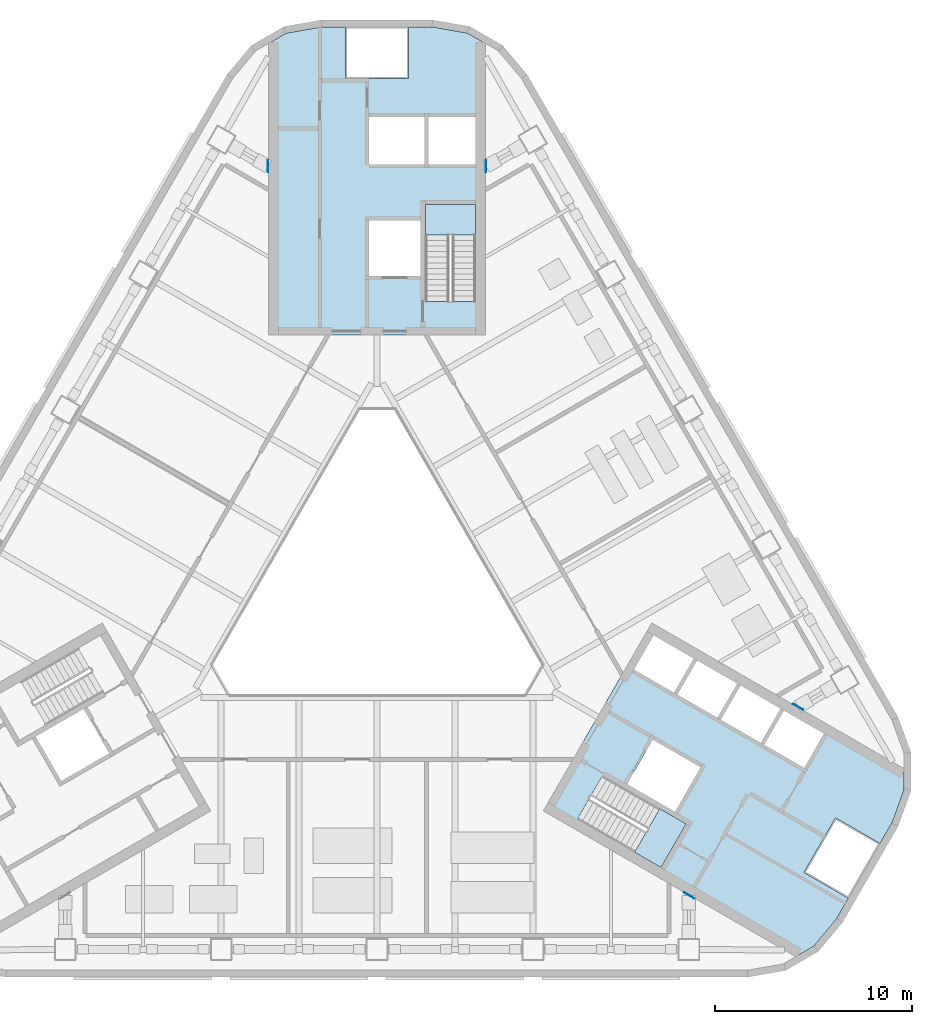
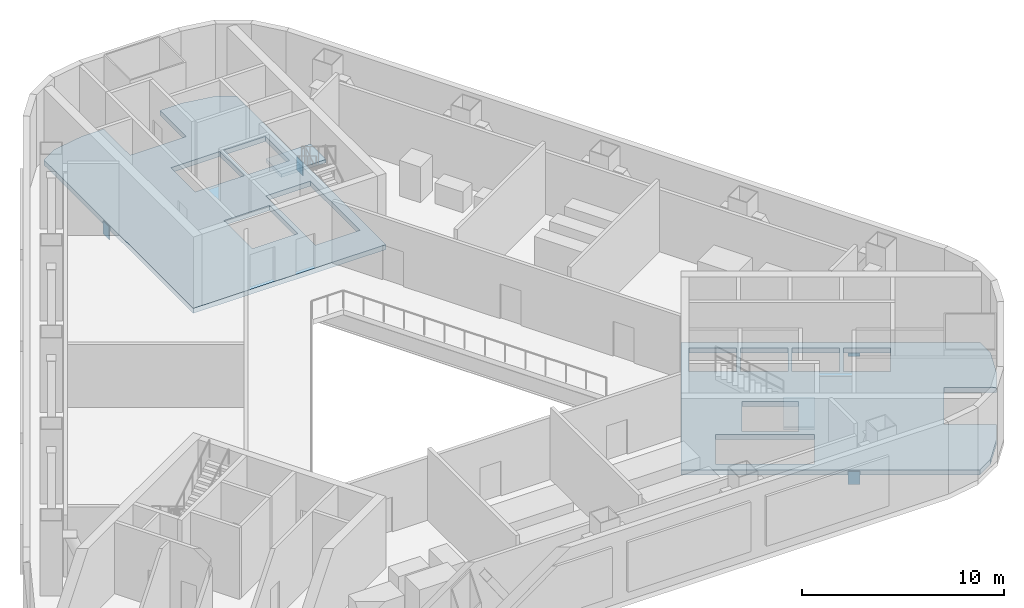
# One storey, part 5 of 14: 4 plates, 4 slabs, 2 elements without a shape of their own.
"""IFC4 building model written with IfcOpenShell, lengths in metres."""

from ifc_helpers import new_model, si_unit, direction, frame, origin, origin_2d, place, context, subcontext, project, spatial, polyline, rectangle, outline, extrude, material, layer, layer_set, type_object, element, aggregate, save


model = new_model("IFC4")

# Units and contexts
model_context = context("Model", 3, precision=1e-05, world=origin(), true_north=direction((0.0, 1.0)))
body_context = subcontext(model_context, "Body", "Model", "MODEL_VIEW")
ifc_project = project(units=[si_unit("LENGTHUNIT", "METRE"), si_unit("AREAUNIT", "SQUARE_METRE"), si_unit("VOLUMEUNIT", "CUBIC_METRE"), si_unit("PLANEANGLEUNIT", "RADIAN"), si_unit("MASSUNIT", "GRAM", prefix="KILO")], contexts=[model_context])

# Site, building, storey
site_placement = place(None, origin())
site = spatial("IfcSite", under=ifc_project, at=site_placement, CompositionType="ELEMENT")
building_placement = place(site_placement, origin())
building = spatial("IfcBuilding", under=site, at=building_placement, Name="Apuvela Tower Hotel", CompositionType="ELEMENT")
storey_placement = place(building_placement, frame((0.0, 0.0, 42.0)))
storey = spatial("IfcBuildingStorey", under=building, at=storey_placement, Name="L07 Plant", CompositionType="ELEMENT", Elevation=42.0)

# Slabs
ifc_material_1 = material(Name="Concrete C50/60", Category="concrete")
ifc_layer_1 = layer(ifc_material_1, 0.300048828125)
ifc_layer_set_1 = layer_set([ifc_layer_1], Name="COR-FLOOR-300")
slab_type_1 = type_object("IfcSlabType", Name="COR-FLOOR-300", PredefinedType="FLOOR", material=ifc_layer_set_1)
slab_1_placement = place(storey_placement, frame((0.0, 0.0, -0.300048828125)))
element("IfcSlab", 1, at=slab_1_placement, inside=storey, type_object=slab_type_1, Name="Core floor N", PredefinedType="FLOOR", context=body_context, shape_type="SweptSolid", body=[
    extrude(outline(polyline([(5.5, 27.668212890625), (4.588623046875, 28.1943359375), (2.85498046875, 28.5), (1.60009765625, 28.5), (1.60009765625, 25.89990234375), (-1.60009765625, 25.89990234375), (-1.60009765625, 28.5), (-2.85498046875, 28.5), (-4.588623046875, 28.1943359375), (-5.5, 27.668212890625), (-5.5, 12.89990234375), (5.5, 12.89990234375), (5.5, 27.668212890625)]), holes=[polyline([(5.0, 14.60595703125), (2.449951171875, 14.60595703125), (2.449951171875, 19.5), (5.0, 19.5), (5.0, 14.60595703125)]), polyline([(2.199951171875, 15.89990234375), (-0.39990234375, 15.89990234375), (-0.39990234375, 18.699951171875), (2.199951171875, 18.699951171875), (2.199951171875, 15.89990234375)]), polyline([(5.0, 21.550048828125), (2.60009765625, 21.550048828125), (2.60009765625, 23.949951171875), (5.0, 23.949951171875), (5.0, 21.550048828125)]), polyline([(2.39990234375, 21.550048828125), (-0.39990234375, 21.550048828125), (-0.39990234375, 23.949951171875), (2.39990234375, 23.949951171875), (2.39990234375, 21.550048828125)])]), origin(), (0.0, 0.0, 1.0), 0.300048828125),
])
slab_2_placement = place(storey_placement, frame((0.0, 0.0, -0.300048828125)))
element("IfcSlab", 2, at=slab_2_placement, inside=storey, type_object=slab_type_1, Name="Core floor SE", PredefinedType="FLOOR", context=body_context, shape_type="SweptSolid", body=[
    extrude(outline(polyline([(21.211181640625, -18.59716796875), (22.122802734375, -18.071044921875), (23.254150390625, -16.72265625), (23.881591796875, -15.635498046875), (21.630126953125, -14.335693359375), (23.22998046875, -11.564453125), (25.481689453125, -12.864501953125), (26.109375, -11.77734375), (26.711181640625, -10.123291015625), (26.711181640625, -9.07080078125), (13.921630859375, -1.68701171875), (8.421630859375, -11.213134765625), (21.211181640625, -18.59716796875)]), holes=[polyline([(13.01806640625, -4.052001953125), (14.01806640625, -2.31982421875), (16.044677734375, -3.489990234375), (15.044677734375, -5.221923828125), (13.01806640625, -4.052001953125)]), polyline([(17.244384765625, -6.491943359375), (15.2177734375, -5.322021484375), (16.2177734375, -3.58984375), (18.244384765625, -4.760009765625), (17.244384765625, -6.491943359375)]), polyline([(14.387451171875, -14.080078125), (10.149169921875, -11.633056640625), (11.42431640625, -9.4248046875), (15.66259765625, -11.871826171875), (14.387451171875, -14.080078125)]), polyline([(12.669921875, -9.855224609375), (13.9697265625, -7.603515625), (16.394775390625, -9.003662109375), (15.0947265625, -11.25537109375), (12.669921875, -9.855224609375)]), polyline([(19.444091796875, -7.761962890625), (17.41748046875, -6.591796875), (18.41748046875, -4.85986328125), (20.444091796875, -6.02978515625), (19.444091796875, -7.761962890625)]), polyline([(21.643798828125, -9.031982421875), (19.6171875, -7.86181640625), (20.6171875, -6.1298828125), (22.643798828125, -7.2998046875), (21.643798828125, -9.031982421875)])]), origin(), (0.0, 0.0, 1.0), 0.300048828125),
])

# Stair, slab
stair_type = type_object("IfcStairType", Name="COR-STAIR-26R", PredefinedType="HALF_TURN_STAIR", material=ifc_material_1)
stair_1_placement = place(storey_placement, origin())
stair_1 = element("IfcStair", 3, at=stair_1_placement, inside=storey, type_object=stair_type, Name="L07 Plant Exit stair ST1", PredefinedType="HALF_TURN_STAIR")
ifc_layer_2 = layer(ifc_material_1, 0.199951171875)
ifc_layer_set_2 = layer_set([ifc_layer_2], Name="COR-LANDING-200")
slab_type_2 = type_object("IfcSlabType", Name="COR-LANDING-200", PredefinedType="LANDING", material=ifc_layer_set_2)
slab_3_placement = place(storey_placement, frame((0.0, 0.0, 2.050048828125)))
slab_3 = element("IfcSlab", 4, at=slab_3_placement, type_object=slab_type_2, Name="ST1 landing 1", PredefinedType="LANDING", context=body_context, shape_type="SweptSolid", body=[
    extrude(outline(polyline([(5.0, 17.9541015625), (5.0, 19.5), (2.449951171875, 19.5), (2.449951171875, 17.9541015625), (5.0, 17.9541015625)])), origin(), (0.0, 0.0, 1.0), 0.199951171875),
])
aggregate(stair_1, [slab_3])

stair_2_placement = place(storey_placement, origin())
stair_2 = element("IfcStair", 5, at=stair_2_placement, inside=storey, type_object=stair_type, Name="L07 Plant Exit stair ST3", PredefinedType="HALF_TURN_STAIR")
slab_4_placement = place(storey_placement, frame((0.0, 0.0, 2.050048828125)))
slab_4 = element("IfcSlab", 6, at=slab_4_placement, type_object=slab_type_2, Name="ST3 landing 1", PredefinedType="LANDING", context=body_context, shape_type="SweptSolid", body=[
    extrude(outline(polyline([(13.048583984375, -13.30712890625), (14.387451171875, -14.080078125), (15.66259765625, -11.871826171875), (14.32373046875, -11.098876953125), (13.048583984375, -13.30712890625)])), origin(), (0.0, 0.0, 1.0), 0.199951171875),
])
aggregate(stair_2, [slab_4])

# Plates
ifc_material_2 = material(Name="Steel S355", Category="steel")
ifc_layer_3 = layer(ifc_material_2, 0.0400390625)
ifc_layer_set_3 = layer_set([ifc_layer_3], Name="STR-CP 40 Steel S355")
plate_type = type_object("IfcPlateType", Name="STR-CP 40 Steel S355", PredefinedType="SHEET", material=ifc_layer_set_3)
for number, where, z_axis, x_axis, name in (
    (7, (21.330078125, -5.94091796875, -0.865234375), (0.0, 0.0, 1.0), (-0.5, -0.866025403784, 0.0), "Cast-in plate CP-T0-73 40"),
    (8, (5.52001953125, 21.44287109375, -0.865234375), (0.0, 0.0, 1.0), (-1.0, 0.0, 0.0), "Cast-in plate CP-T0-74 40"),
    (9, (-5.52001953125, 21.44287109375, -0.865234375), (0.0, 0.0, 1.0), (1.0, 0.0, 0.0), "Cast-in plate CP-T0-75 40"),
    (10, (15.81005859375, -15.501953125, -0.865234375), (0.0, 0.0, 1.0), (0.5, 0.866025403784, 0.0), "Cast-in plate CP-T0-78 40"),
):
    element("IfcPlate", number, at=place(storey_placement, frame(where, z_axis=z_axis, x_axis=x_axis)), inside=storey, type_object=plate_type, Name=name, PredefinedType="SHEET", context=body_context, shape_type="SweptSolid", body=[
        extrude(rectangle(XDim=0.0400390625, YDim=0.60009765625, at=origin_2d()), origin(), (0.0, 0.0, 1.0), 0.800048828125),
    ])

save(model, "model.ifc")
